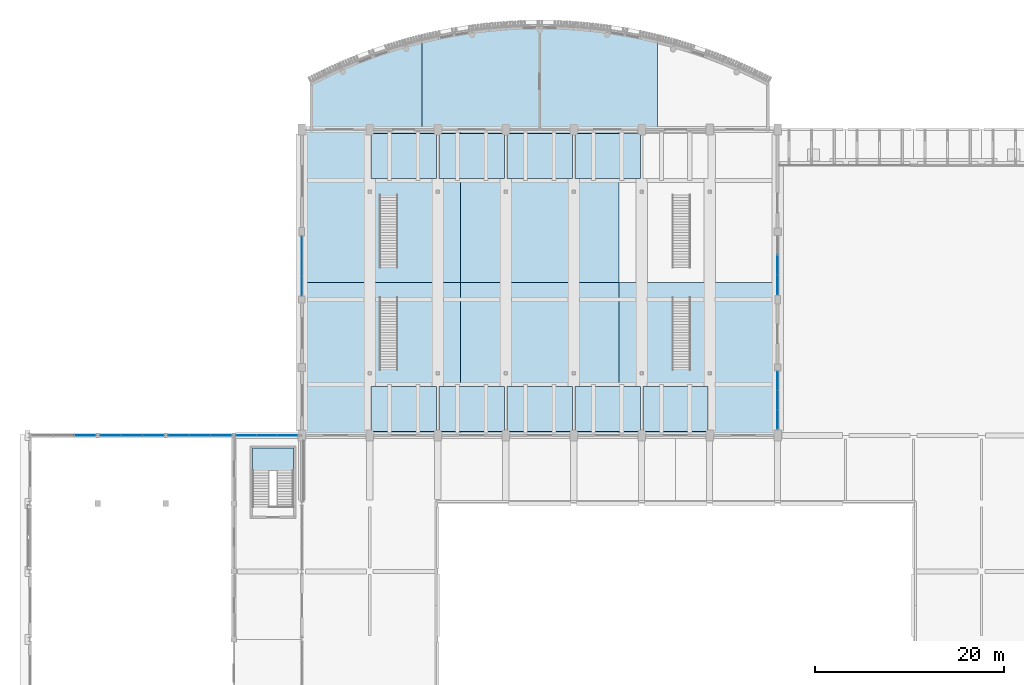
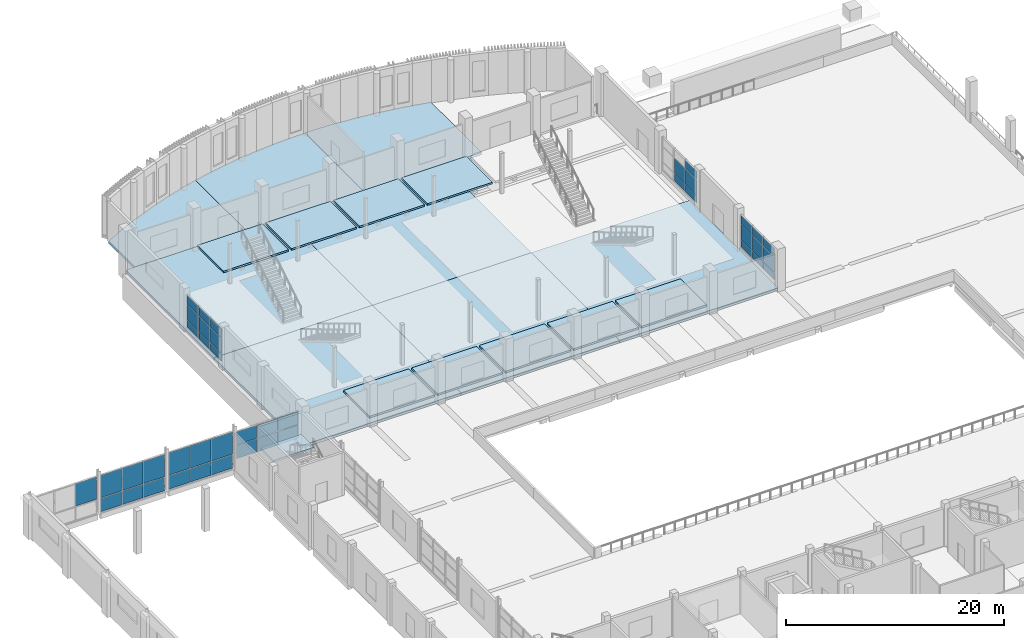
# One storey, part 48 of 82: 42 plates, 18 slabs, 8 elements without a shape of their own.
"""IFC4 building model written with IfcOpenShell, lengths in metres."""

from ifc_helpers import new_model, si_unit, direction, frame, origin, origin_2d, place, context, subcontext, project, spatial, polyline, rectangle, outline, extrude, material, layer, layer_set, type_object, element, aggregate, save


model = new_model("IFC4")

# Units and contexts
model_context = context("Model", 3, precision=1e-05, world=origin(), true_north=direction((0.0, 1.0)))
body_context = subcontext(model_context, "Body", "Model", "MODEL_VIEW")
ifc_project = project(units=[si_unit("LENGTHUNIT", "METRE"), si_unit("AREAUNIT", "SQUARE_METRE"), si_unit("VOLUMEUNIT", "CUBIC_METRE"), si_unit("PLANEANGLEUNIT", "RADIAN"), si_unit("MASSUNIT", "GRAM", prefix="KILO")], contexts=[model_context])

# Site, building, storey
site_placement = place(None, origin())
site = spatial("IfcSite", under=ifc_project, at=site_placement, CompositionType="ELEMENT")
building_placement = place(site_placement, origin())
building = spatial("IfcBuilding", under=site, at=building_placement, Name="Sardonyx Promenade Sports Hall", CompositionType="ELEMENT")
storey_placement = place(building_placement, frame((0.0, 0.0, 11.199951171875)))
storey = spatial("IfcBuildingStorey", under=building, at=storey_placement, Name="L02", CompositionType="ELEMENT", Elevation=11.199951171875)

# Curtain wall, plates
ifc_material_1 = material(Name="Aluminium 6063-T6", Category="aluminium")
curtain_wall_type_1 = type_object("IfcCurtainWallType", Name="CW_South_L02_640", PredefinedType="USERDEFINED", material=ifc_material_1)
curtain_wall_1_placement = place(storey_placement, origin())
curtain_wall_1 = element("IfcCurtainWall", 1, at=curtain_wall_1_placement, inside=storey, type_object=curtain_wall_type_1, Name="Curtain wall CW01 cw:L02:146", ObjectType="CURTAIN WALL", PredefinedType="USERDEFINED")
ifc_material_2 = material(Name="Double-glazed solar low-E IGU 28 mm", Category="glass")
ifc_layer_1 = layer(ifc_material_2, 0.028076171875)
ifc_layer_set_1 = layer_set([ifc_layer_1], Name="CW_Pan_Glz_28")
plate_type_1 = type_object("IfcPlateType", Name="CW_Pan_Glz_28", PredefinedType="CURTAIN_PANEL", material=ifc_layer_set_1)
plate_1_placement = place(storey_placement, frame((28.800048828125, 87.8515625, 0.46484375), z_axis=(0.0, 0.0, 1.0), x_axis=(0.0, 1.0, 0.0)))
plate_1 = element("IfcPlate", 2, at=plate_1_placement, type_object=plate_type_1, Name="Curtain panel CP01 cw:L02:146 #1", PredefinedType="CURTAIN_PANEL", context=body_context, shape_type="SweptSolid", body=[
    extrude(rectangle(XDim=2.033447265625, YDim=0.028076171875, at=origin_2d()), origin(), (0.0, 0.0, 1.0), 0.802490234375),
])
plate_2_placement = place(storey_placement, frame((28.800048828125, 87.8515625, 1.33251953125), z_axis=(0.0, 0.0, 1.0), x_axis=(0.0, 1.0, 0.0)))
plate_2 = element("IfcPlate", 3, at=plate_2_placement, type_object=plate_type_1, Name="Curtain panel CP01 cw:L02:146 #2", PredefinedType="CURTAIN_PANEL", context=body_context, shape_type="SweptSolid", body=[
    extrude(rectangle(XDim=2.033447265625, YDim=0.028076171875, at=origin_2d()), origin(), (0.0, 0.0, 1.0), 1.68505859375),
])
plate_3_placement = place(storey_placement, frame((28.800048828125, 87.8515625, 3.08251953125), z_axis=(0.0, 0.0, 1.0), x_axis=(0.0, 1.0, 0.0)))
plate_3 = element("IfcPlate", 4, at=plate_3_placement, type_object=plate_type_1, Name="Curtain panel CP01 cw:L02:146 #3", PredefinedType="CURTAIN_PANEL", context=body_context, shape_type="SweptSolid", body=[
    extrude(rectangle(XDim=2.033447265625, YDim=0.028076171875, at=origin_2d()), origin(), (0.0, 0.0, 1.0), 0.952392578125),
])
plate_4_placement = place(storey_placement, frame((28.800048828125, 89.949951171875, 0.46484375), z_axis=(0.0, 0.0, 1.0), x_axis=(0.0, 1.0, 0.0)))
plate_4 = element("IfcPlate", 5, at=plate_4_placement, type_object=plate_type_1, Name="Curtain panel CP01 cw:L02:146 #4", PredefinedType="CURTAIN_PANEL", context=body_context, shape_type="SweptSolid", body=[
    extrude(rectangle(XDim=2.033447265625, YDim=0.028076171875, at=origin_2d()), origin(), (0.0, 0.0, 1.0), 0.802490234375),
])
plate_5_placement = place(storey_placement, frame((28.800048828125, 89.949951171875, 1.33251953125), z_axis=(0.0, 0.0, 1.0), x_axis=(0.0, 1.0, 0.0)))
plate_5 = element("IfcPlate", 6, at=plate_5_placement, type_object=plate_type_1, Name="Curtain panel CP01 cw:L02:146 #5", PredefinedType="CURTAIN_PANEL", context=body_context, shape_type="SweptSolid", body=[
    extrude(rectangle(XDim=2.033447265625, YDim=0.028076171875, at=origin_2d()), origin(), (0.0, 0.0, 1.0), 1.68505859375),
])
plate_6_placement = place(storey_placement, frame((28.800048828125, 89.949951171875, 3.08251953125), z_axis=(0.0, 0.0, 1.0), x_axis=(0.0, 1.0, 0.0)))
plate_6 = element("IfcPlate", 7, at=plate_6_placement, type_object=plate_type_1, Name="Curtain panel CP01 cw:L02:146 #6", PredefinedType="CURTAIN_PANEL", context=body_context, shape_type="SweptSolid", body=[
    extrude(rectangle(XDim=2.033447265625, YDim=0.028076171875, at=origin_2d()), origin(), (0.0, 0.0, 1.0), 0.952392578125),
])
plate_7_placement = place(storey_placement, frame((28.800048828125, 92.04833984375, 0.46484375), z_axis=(0.0, 0.0, 1.0), x_axis=(0.0, 1.0, 0.0)))
plate_7 = element("IfcPlate", 8, at=plate_7_placement, type_object=plate_type_1, Name="Curtain panel CP01 cw:L02:146 #7", PredefinedType="CURTAIN_PANEL", context=body_context, shape_type="SweptSolid", body=[
    extrude(rectangle(XDim=2.033447265625, YDim=0.028076171875, at=origin_2d()), origin(), (0.0, 0.0, 1.0), 0.802490234375),
])
plate_8_placement = place(storey_placement, frame((28.800048828125, 92.04833984375, 1.33251953125), z_axis=(0.0, 0.0, 1.0), x_axis=(0.0, 1.0, 0.0)))
plate_8 = element("IfcPlate", 9, at=plate_8_placement, type_object=plate_type_1, Name="Curtain panel CP01 cw:L02:146 #8", PredefinedType="CURTAIN_PANEL", context=body_context, shape_type="SweptSolid", body=[
    extrude(rectangle(XDim=2.033447265625, YDim=0.028076171875, at=origin_2d()), origin(), (0.0, 0.0, 1.0), 1.68505859375),
])
plate_9_placement = place(storey_placement, frame((28.800048828125, 92.04833984375, 3.08251953125), z_axis=(0.0, 0.0, 1.0), x_axis=(0.0, 1.0, 0.0)))
plate_9 = element("IfcPlate", 10, at=plate_9_placement, type_object=plate_type_1, Name="Curtain panel CP01 cw:L02:146 #9", PredefinedType="CURTAIN_PANEL", context=body_context, shape_type="SweptSolid", body=[
    extrude(rectangle(XDim=2.033447265625, YDim=0.028076171875, at=origin_2d()), origin(), (0.0, 0.0, 1.0), 0.952392578125),
])
aggregate(curtain_wall_1, [plate_1, plate_2, plate_3, plate_4, plate_5, plate_6, plate_7, plate_8, plate_9])

curtain_wall_2_placement = place(storey_placement, origin())
curtain_wall_2 = element("IfcCurtainWall", 11, at=curtain_wall_2_placement, inside=storey, type_object=curtain_wall_type_1, Name="Curtain wall CW01 cw:L02:148", ObjectType="CURTAIN WALL", PredefinedType="USERDEFINED")
plate_10_placement = place(storey_placement, frame((79.199951171875, 90.02490234375, 0.46484375), z_axis=(0.0, 0.0, 1.0), x_axis=(0.0, -1.0, 0.0)))
plate_10 = element("IfcPlate", 12, at=plate_10_placement, type_object=plate_type_1, Name="Curtain panel CP01 cw:L02:148 #4", PredefinedType="CURTAIN_PANEL", context=body_context, shape_type="SweptSolid", body=[
    extrude(rectangle(XDim=2.0166015625, YDim=0.028076171875, at=origin_2d()), origin(), (0.0, 0.0, 1.0), 0.802490234375),
])
plate_11_placement = place(storey_placement, frame((79.199951171875, 90.02490234375, 1.33251953125), z_axis=(0.0, 0.0, 1.0), x_axis=(0.0, -1.0, 0.0)))
plate_11 = element("IfcPlate", 13, at=plate_11_placement, type_object=plate_type_1, Name="Curtain panel CP01 cw:L02:148 #5", PredefinedType="CURTAIN_PANEL", context=body_context, shape_type="SweptSolid", body=[
    extrude(rectangle(XDim=2.0166015625, YDim=0.028076171875, at=origin_2d()), origin(), (0.0, 0.0, 1.0), 1.68505859375),
])
plate_12_placement = place(storey_placement, frame((79.199951171875, 87.943359375, 0.46484375), z_axis=(0.0, 0.0, 1.0), x_axis=(0.0, -1.0, 0.0)))
plate_12 = element("IfcPlate", 14, at=plate_12_placement, type_object=plate_type_1, Name="Curtain panel CP01 cw:L02:148 #7", PredefinedType="CURTAIN_PANEL", context=body_context, shape_type="SweptSolid", body=[
    extrude(rectangle(XDim=2.0166015625, YDim=0.028076171875, at=origin_2d()), origin(), (0.0, 0.0, 1.0), 0.802490234375),
])
plate_13_placement = place(storey_placement, frame((79.199951171875, 87.943359375, 1.33251953125), z_axis=(0.0, 0.0, 1.0), x_axis=(0.0, -1.0, 0.0)))
plate_13 = element("IfcPlate", 15, at=plate_13_placement, type_object=plate_type_1, Name="Curtain panel CP01 cw:L02:148 #8", PredefinedType="CURTAIN_PANEL", context=body_context, shape_type="SweptSolid", body=[
    extrude(rectangle(XDim=2.0166015625, YDim=0.028076171875, at=origin_2d()), origin(), (0.0, 0.0, 1.0), 1.68505859375),
])
plate_14_placement = place(storey_placement, frame((79.199951171875, 87.943359375, 3.08251953125), z_axis=(0.0, 0.0, 1.0), x_axis=(0.0, -1.0, 0.0)))
plate_14 = element("IfcPlate", 16, at=plate_14_placement, type_object=plate_type_1, Name="Curtain panel CP01 cw:L02:148 #9", PredefinedType="CURTAIN_PANEL", context=body_context, shape_type="SweptSolid", body=[
    extrude(rectangle(XDim=2.0166015625, YDim=0.028076171875, at=origin_2d()), origin(), (0.0, 0.0, 1.0), 0.952392578125),
])
aggregate(curtain_wall_2, [plate_10, plate_11, plate_12, plate_13, plate_14])

curtain_wall_3_placement = place(storey_placement, origin())
curtain_wall_3 = element("IfcCurtainWall", 17, at=curtain_wall_3_placement, inside=storey, type_object=curtain_wall_type_1, Name="Curtain wall CW01 cw:L02:149", ObjectType="CURTAIN WALL", PredefinedType="USERDEFINED")
plate_15_placement = place(storey_placement, frame((79.199951171875, 77.7734375, 0.46484375), z_axis=(0.0, 0.0, 1.0), x_axis=(0.0, -1.0, 0.0)))
plate_15 = element("IfcPlate", 18, at=plate_15_placement, type_object=plate_type_1, Name="Curtain panel CP01 cw:L02:149 #1", PredefinedType="CURTAIN_PANEL", context=body_context, shape_type="SweptSolid", body=[
    extrude(rectangle(XDim=1.9833984375, YDim=0.028076171875, at=origin_2d()), origin(), (0.0, 0.0, 1.0), 0.802490234375),
])
plate_16_placement = place(storey_placement, frame((79.199951171875, 77.7734375, 1.33251953125), z_axis=(0.0, 0.0, 1.0), x_axis=(0.0, -1.0, 0.0)))
plate_16 = element("IfcPlate", 19, at=plate_16_placement, type_object=plate_type_1, Name="Curtain panel CP01 cw:L02:149 #2", PredefinedType="CURTAIN_PANEL", context=body_context, shape_type="SweptSolid", body=[
    extrude(rectangle(XDim=1.9833984375, YDim=0.028076171875, at=origin_2d()), origin(), (0.0, 0.0, 1.0), 1.68505859375),
])
plate_17_placement = place(storey_placement, frame((79.199951171875, 77.7734375, 3.08251953125), z_axis=(0.0, 0.0, 1.0), x_axis=(0.0, -1.0, 0.0)))
plate_17 = element("IfcPlate", 20, at=plate_17_placement, type_object=plate_type_1, Name="Curtain panel CP01 cw:L02:149 #3", PredefinedType="CURTAIN_PANEL", context=body_context, shape_type="SweptSolid", body=[
    extrude(rectangle(XDim=1.9833984375, YDim=0.028076171875, at=origin_2d()), origin(), (0.0, 0.0, 1.0), 0.952392578125),
])
plate_18_placement = place(storey_placement, frame((79.199951171875, 75.72509765625, 0.46484375), z_axis=(0.0, 0.0, 1.0), x_axis=(0.0, -1.0, 0.0)))
plate_18 = element("IfcPlate", 21, at=plate_18_placement, type_object=plate_type_1, Name="Curtain panel CP01 cw:L02:149 #4", PredefinedType="CURTAIN_PANEL", context=body_context, shape_type="SweptSolid", body=[
    extrude(rectangle(XDim=1.9833984375, YDim=0.028076171875, at=origin_2d()), origin(), (0.0, 0.0, 1.0), 0.802490234375),
])
plate_19_placement = place(storey_placement, frame((79.199951171875, 75.72509765625, 1.33251953125), z_axis=(0.0, 0.0, 1.0), x_axis=(0.0, -1.0, 0.0)))
plate_19 = element("IfcPlate", 22, at=plate_19_placement, type_object=plate_type_1, Name="Curtain panel CP01 cw:L02:149 #5", PredefinedType="CURTAIN_PANEL", context=body_context, shape_type="SweptSolid", body=[
    extrude(rectangle(XDim=1.9833984375, YDim=0.028076171875, at=origin_2d()), origin(), (0.0, 0.0, 1.0), 1.68505859375),
])
plate_20_placement = place(storey_placement, frame((79.199951171875, 75.72509765625, 3.08251953125), z_axis=(0.0, 0.0, 1.0), x_axis=(0.0, -1.0, 0.0)))
plate_20 = element("IfcPlate", 23, at=plate_20_placement, type_object=plate_type_1, Name="Curtain panel CP01 cw:L02:149 #6", PredefinedType="CURTAIN_PANEL", context=body_context, shape_type="SweptSolid", body=[
    extrude(rectangle(XDim=1.9833984375, YDim=0.028076171875, at=origin_2d()), origin(), (0.0, 0.0, 1.0), 0.952392578125),
])
plate_21_placement = place(storey_placement, frame((79.199951171875, 73.6767578125, 0.46484375), z_axis=(0.0, 0.0, 1.0), x_axis=(0.0, -1.0, 0.0)))
plate_21 = element("IfcPlate", 24, at=plate_21_placement, type_object=plate_type_1, Name="Curtain panel CP01 cw:L02:149 #7", PredefinedType="CURTAIN_PANEL", context=body_context, shape_type="SweptSolid", body=[
    extrude(rectangle(XDim=1.9833984375, YDim=0.028076171875, at=origin_2d()), origin(), (0.0, 0.0, 1.0), 0.802490234375),
])
plate_22_placement = place(storey_placement, frame((79.199951171875, 73.6767578125, 1.33251953125), z_axis=(0.0, 0.0, 1.0), x_axis=(0.0, -1.0, 0.0)))
plate_22 = element("IfcPlate", 25, at=plate_22_placement, type_object=plate_type_1, Name="Curtain panel CP01 cw:L02:149 #8", PredefinedType="CURTAIN_PANEL", context=body_context, shape_type="SweptSolid", body=[
    extrude(rectangle(XDim=1.9833984375, YDim=0.028076171875, at=origin_2d()), origin(), (0.0, 0.0, 1.0), 1.68505859375),
])
plate_23_placement = place(storey_placement, frame((79.199951171875, 73.6767578125, 3.08251953125), z_axis=(0.0, 0.0, 1.0), x_axis=(0.0, -1.0, 0.0)))
plate_23 = element("IfcPlate", 26, at=plate_23_placement, type_object=plate_type_1, Name="Curtain panel CP01 cw:L02:149 #9", PredefinedType="CURTAIN_PANEL", context=body_context, shape_type="SweptSolid", body=[
    extrude(rectangle(XDim=1.9833984375, YDim=0.028076171875, at=origin_2d()), origin(), (0.0, 0.0, 1.0), 0.952392578125),
])
aggregate(curtain_wall_3, [plate_15, plate_16, plate_17, plate_18, plate_19, plate_20, plate_21, plate_22, plate_23])

# Curtain wall, plate
ifc_material_3 = material(Name="Aluminium 6063-T6", Category="aluminium")
curtain_wall_type_2 = type_object("IfcCurtainWallType", Name="CW_Climb_Clerestory", PredefinedType="USERDEFINED", material=ifc_material_3)
curtain_wall_4_placement = place(storey_placement, origin())
curtain_wall_4 = element("IfcCurtainWall", 27, at=curtain_wall_4_placement, inside=storey, type_object=curtain_wall_type_2, Name="Curtain wall CW12 cw:L02:076", ObjectType="CURTAIN WALL", PredefinedType="USERDEFINED")
ifc_material_4 = material(Name="Laminated safety sports IGU 36 mm", Category="glass")
ifc_layer_2 = layer(ifc_material_4, 0.035888671875)
ifc_layer_set_2 = layer_set([ifc_layer_2], Name="CW_Pan_Glz_36")
plate_type_2 = type_object("IfcPlateType", Name="CW_Pan_Glz_36", PredefinedType="CURTAIN_PANEL", material=ifc_layer_set_2)
plate_24_placement = place(storey_placement, frame((5.864990234375, 72.0, 1.632568359375), z_axis=(0.0, 0.0, 1.0), x_axis=(1.0, 0.0, 0.0)))
plate_24 = element("IfcPlate", 28, at=plate_24_placement, type_object=plate_type_2, Name="Curtain panel CP03 cw:L02:076 #6", PredefinedType="CURTAIN_PANEL", context=body_context, shape_type="SweptSolid", body=[
    extrude(rectangle(XDim=2.199951171875, YDim=0.035888671875, at=origin_2d()), origin(), (0.0, 0.0, 1.0), 2.50244140625),
])
aggregate(curtain_wall_4, [plate_24])

# Curtain wall, plates
curtain_wall_5_placement = place(storey_placement, origin())
curtain_wall_5 = element("IfcCurtainWall", 29, at=curtain_wall_5_placement, inside=storey, type_object=curtain_wall_type_2, Name="Curtain wall CW12 cw:L02:077", ObjectType="CURTAIN WALL", PredefinedType="USERDEFINED")
plate_25_placement = place(storey_placement, frame((8.534912109375, 72.0, 0.065185546875), z_axis=(0.0, 0.0, 1.0), x_axis=(1.0, 0.0, 0.0)))
plate_25 = element("IfcPlate", 30, at=plate_25_placement, type_object=plate_type_2, Name="Curtain panel CP03 cw:L02:077 #1", PredefinedType="CURTAIN_PANEL", context=body_context, shape_type="SweptSolid", body=[
    extrude(rectangle(XDim=2.199951171875, YDim=0.035888671875, at=origin_2d()), origin(), (0.0, 0.0, 1.0), 1.50244140625),
])
plate_26_placement = place(storey_placement, frame((8.534912109375, 72.0, 1.632568359375), z_axis=(0.0, 0.0, 1.0), x_axis=(1.0, 0.0, 0.0)))
plate_26 = element("IfcPlate", 31, at=plate_26_placement, type_object=plate_type_2, Name="Curtain panel CP03 cw:L02:077 #2", PredefinedType="CURTAIN_PANEL", context=body_context, shape_type="SweptSolid", body=[
    extrude(rectangle(XDim=2.199951171875, YDim=0.035888671875, at=origin_2d()), origin(), (0.0, 0.0, 1.0), 2.50244140625),
])
plate_27_placement = place(storey_placement, frame((10.800048828125, 72.0, 0.065185546875), z_axis=(0.0, 0.0, 1.0), x_axis=(1.0, 0.0, 0.0)))
plate_27 = element("IfcPlate", 32, at=plate_27_placement, type_object=plate_type_2, Name="Curtain panel CP03 cw:L02:077 #3", PredefinedType="CURTAIN_PANEL", context=body_context, shape_type="SweptSolid", body=[
    extrude(rectangle(XDim=2.199951171875, YDim=0.035888671875, at=origin_2d()), origin(), (0.0, 0.0, 1.0), 1.50244140625),
])
plate_28_placement = place(storey_placement, frame((10.800048828125, 72.0, 1.632568359375), z_axis=(0.0, 0.0, 1.0), x_axis=(1.0, 0.0, 0.0)))
plate_28 = element("IfcPlate", 33, at=plate_28_placement, type_object=plate_type_2, Name="Curtain panel CP03 cw:L02:077 #4", PredefinedType="CURTAIN_PANEL", context=body_context, shape_type="SweptSolid", body=[
    extrude(rectangle(XDim=2.199951171875, YDim=0.035888671875, at=origin_2d()), origin(), (0.0, 0.0, 1.0), 2.50244140625),
])
plate_29_placement = place(storey_placement, frame((13.06494140625, 72.0, 0.065185546875), z_axis=(0.0, 0.0, 1.0), x_axis=(1.0, 0.0, 0.0)))
plate_29 = element("IfcPlate", 34, at=plate_29_placement, type_object=plate_type_2, Name="Curtain panel CP03 cw:L02:077 #5", PredefinedType="CURTAIN_PANEL", context=body_context, shape_type="SweptSolid", body=[
    extrude(rectangle(XDim=2.199951171875, YDim=0.035888671875, at=origin_2d()), origin(), (0.0, 0.0, 1.0), 1.50244140625),
])
plate_30_placement = place(storey_placement, frame((13.06494140625, 72.0, 1.632568359375), z_axis=(0.0, 0.0, 1.0), x_axis=(1.0, 0.0, 0.0)))
plate_30 = element("IfcPlate", 35, at=plate_30_placement, type_object=plate_type_2, Name="Curtain panel CP03 cw:L02:077 #6", PredefinedType="CURTAIN_PANEL", context=body_context, shape_type="SweptSolid", body=[
    extrude(rectangle(XDim=2.199951171875, YDim=0.035888671875, at=origin_2d()), origin(), (0.0, 0.0, 1.0), 2.50244140625),
])
aggregate(curtain_wall_5, [plate_25, plate_26, plate_27, plate_28, plate_29, plate_30])

curtain_wall_6_placement = place(storey_placement, origin())
curtain_wall_6 = element("IfcCurtainWall", 36, at=curtain_wall_6_placement, inside=storey, type_object=curtain_wall_type_2, Name="Curtain wall CW12 cw:L02:078", ObjectType="CURTAIN WALL", PredefinedType="USERDEFINED")
plate_31_placement = place(storey_placement, frame((15.735107421875, 72.0, 0.065185546875), z_axis=(0.0, 0.0, 1.0), x_axis=(1.0, 0.0, 0.0)))
plate_31 = element("IfcPlate", 37, at=plate_31_placement, type_object=plate_type_2, Name="Curtain panel CP03 cw:L02:078 #1", PredefinedType="CURTAIN_PANEL", context=body_context, shape_type="SweptSolid", body=[
    extrude(rectangle(XDim=2.199951171875, YDim=0.035888671875, at=origin_2d()), origin(), (0.0, 0.0, 1.0), 1.50244140625),
])
plate_32_placement = place(storey_placement, frame((15.735107421875, 72.0, 1.632568359375), z_axis=(0.0, 0.0, 1.0), x_axis=(1.0, 0.0, 0.0)))
plate_32 = element("IfcPlate", 38, at=plate_32_placement, type_object=plate_type_2, Name="Curtain panel CP03 cw:L02:078 #2", PredefinedType="CURTAIN_PANEL", context=body_context, shape_type="SweptSolid", body=[
    extrude(rectangle(XDim=2.199951171875, YDim=0.035888671875, at=origin_2d()), origin(), (0.0, 0.0, 1.0), 2.50244140625),
])
plate_33_placement = place(storey_placement, frame((18.0, 72.0, 0.065185546875), z_axis=(0.0, 0.0, 1.0), x_axis=(1.0, 0.0, 0.0)))
plate_33 = element("IfcPlate", 39, at=plate_33_placement, type_object=plate_type_2, Name="Curtain panel CP03 cw:L02:078 #3", PredefinedType="CURTAIN_PANEL", context=body_context, shape_type="SweptSolid", body=[
    extrude(rectangle(XDim=2.199951171875, YDim=0.035888671875, at=origin_2d()), origin(), (0.0, 0.0, 1.0), 1.50244140625),
])
plate_34_placement = place(storey_placement, frame((18.0, 72.0, 1.632568359375), z_axis=(0.0, 0.0, 1.0), x_axis=(1.0, 0.0, 0.0)))
plate_34 = element("IfcPlate", 40, at=plate_34_placement, type_object=plate_type_2, Name="Curtain panel CP03 cw:L02:078 #4", PredefinedType="CURTAIN_PANEL", context=body_context, shape_type="SweptSolid", body=[
    extrude(rectangle(XDim=2.199951171875, YDim=0.035888671875, at=origin_2d()), origin(), (0.0, 0.0, 1.0), 2.50244140625),
])
plate_35_placement = place(storey_placement, frame((20.264892578125, 72.0, 0.065185546875), z_axis=(0.0, 0.0, 1.0), x_axis=(1.0, 0.0, 0.0)))
plate_35 = element("IfcPlate", 41, at=plate_35_placement, type_object=plate_type_2, Name="Curtain panel CP03 cw:L02:078 #5", PredefinedType="CURTAIN_PANEL", context=body_context, shape_type="SweptSolid", body=[
    extrude(rectangle(XDim=2.199951171875, YDim=0.035888671875, at=origin_2d()), origin(), (0.0, 0.0, 1.0), 1.50244140625),
])
plate_36_placement = place(storey_placement, frame((20.264892578125, 72.0, 1.632568359375), z_axis=(0.0, 0.0, 1.0), x_axis=(1.0, 0.0, 0.0)))
plate_36 = element("IfcPlate", 42, at=plate_36_placement, type_object=plate_type_2, Name="Curtain panel CP03 cw:L02:078 #6", PredefinedType="CURTAIN_PANEL", context=body_context, shape_type="SweptSolid", body=[
    extrude(rectangle(XDim=2.199951171875, YDim=0.035888671875, at=origin_2d()), origin(), (0.0, 0.0, 1.0), 2.50244140625),
])
aggregate(curtain_wall_6, [plate_31, plate_32, plate_33, plate_34, plate_35, plate_36])

curtain_wall_7_placement = place(storey_placement, origin())
curtain_wall_7 = element("IfcCurtainWall", 43, at=curtain_wall_7_placement, inside=storey, type_object=curtain_wall_type_2, Name="Curtain wall CW12 cw:L02:079", ObjectType="CURTAIN WALL", PredefinedType="USERDEFINED")
plate_37_placement = place(storey_placement, frame((22.893310546875, 72.0, 0.965087890625), z_axis=(0.0, 0.0, 1.0), x_axis=(1.0, 0.0, 0.0)))
plate_37 = element("IfcPlate", 44, at=plate_37_placement, type_object=plate_type_2, Name="Curtain panel CP03 cw:L02:079 #1", PredefinedType="CURTAIN_PANEL", context=body_context, shape_type="SweptSolid", body=[
    extrude(rectangle(XDim=2.11669921875, YDim=0.035888671875, at=origin_2d()), origin(), (0.0, 0.0, 1.0), 1.50244140625),
])
plate_38_placement = place(storey_placement, frame((22.893310546875, 72.0, 2.532470703125), z_axis=(0.0, 0.0, 1.0), x_axis=(1.0, 0.0, 0.0)))
plate_38 = element("IfcPlate", 45, at=plate_38_placement, type_object=plate_type_2, Name="Curtain panel CP03 cw:L02:079 #2", PredefinedType="CURTAIN_PANEL", context=body_context, shape_type="SweptSolid", body=[
    extrude(rectangle(XDim=2.11669921875, YDim=0.035888671875, at=origin_2d()), origin(), (0.0, 0.0, 1.0), 1.4375),
])
plate_39_placement = place(storey_placement, frame((25.074951171875, 72.0, 0.965087890625), z_axis=(0.0, 0.0, 1.0), x_axis=(1.0, 0.0, 0.0)))
plate_39 = element("IfcPlate", 46, at=plate_39_placement, type_object=plate_type_2, Name="Curtain panel CP03 cw:L02:079 #3", PredefinedType="CURTAIN_PANEL", context=body_context, shape_type="SweptSolid", body=[
    extrude(rectangle(XDim=2.11669921875, YDim=0.035888671875, at=origin_2d()), origin(), (0.0, 0.0, 1.0), 1.50244140625),
])
plate_40_placement = place(storey_placement, frame((25.074951171875, 72.0, 2.532470703125), z_axis=(0.0, 0.0, 1.0), x_axis=(1.0, 0.0, 0.0)))
plate_40 = element("IfcPlate", 47, at=plate_40_placement, type_object=plate_type_2, Name="Curtain panel CP03 cw:L02:079 #4", PredefinedType="CURTAIN_PANEL", context=body_context, shape_type="SweptSolid", body=[
    extrude(rectangle(XDim=2.11669921875, YDim=0.035888671875, at=origin_2d()), origin(), (0.0, 0.0, 1.0), 1.4375),
])
plate_41_placement = place(storey_placement, frame((27.256591796875, 72.0, 0.965087890625), z_axis=(0.0, 0.0, 1.0), x_axis=(1.0, 0.0, 0.0)))
plate_41 = element("IfcPlate", 48, at=plate_41_placement, type_object=plate_type_2, Name="Curtain panel CP03 cw:L02:079 #5", PredefinedType="CURTAIN_PANEL", context=body_context, shape_type="SweptSolid", body=[
    extrude(rectangle(XDim=2.11669921875, YDim=0.035888671875, at=origin_2d()), origin(), (0.0, 0.0, 1.0), 1.50244140625),
])
plate_42_placement = place(storey_placement, frame((27.256591796875, 72.0, 2.532470703125), z_axis=(0.0, 0.0, 1.0), x_axis=(1.0, 0.0, 0.0)))
plate_42 = element("IfcPlate", 49, at=plate_42_placement, type_object=plate_type_2, Name="Curtain panel CP03 cw:L02:079 #6", PredefinedType="CURTAIN_PANEL", context=body_context, shape_type="SweptSolid", body=[
    extrude(rectangle(XDim=2.11669921875, YDim=0.035888671875, at=origin_2d()), origin(), (0.0, 0.0, 1.0), 1.4375),
])
aggregate(curtain_wall_7, [plate_37, plate_38, plate_39, plate_40, plate_41, plate_42])

# Stair, slab
ifc_material_5 = material(Name="Concrete C40/50", Category="concrete")
stair_type = type_object("IfcStairType", Name="Stair_Esc_Mid_480", PredefinedType="HALF_TURN_STAIR", material=ifc_material_5)
stair_placement = place(storey_placement, origin())
stair = element("IfcStair", 50, at=stair_placement, inside=storey, type_object=stair_type, Name="Protected escape stair ST7 (L02 to L03)", PredefinedType="HALF_TURN_STAIR")
ifc_material_6 = material(Name="Concrete C40/50", Category="concrete")
ifc_layer_3 = layer(ifc_material_6, 0.239990234375)
ifc_layer_set_3 = layer_set([ifc_layer_3], Name="Land_Stair_240")
slab_type_1 = type_object("IfcSlabType", Name="Land_Stair_240", PredefinedType="LANDING", material=ifc_layer_set_3)
slab_1_placement = place(storey_placement, frame((0.0, 0.0, 2.16015625)))
slab_1 = element("IfcSlab", 51, at=slab_1_placement, type_object=slab_type_1, Name="Stair half-landing ST7 L02", PredefinedType="LANDING", context=body_context, shape_type="SweptSolid", body=[
    extrude(outline(polyline([(27.925048828125, 68.260009765625), (27.925048828125, 70.64990234375), (23.574951171875, 70.64990234375), (23.574951171875, 68.260009765625), (27.925048828125, 68.260009765625)])), origin(), (0.0, 0.0, 1.0), 0.239990234375),
])
aggregate(stair, [slab_1])

# Slabs
ifc_material_7 = material(Name="Concrete C40/50", Category="concrete")
ifc_layer_4 = layer(ifc_material_7, 0.2900390625)
ifc_layer_set_4 = layer_set([ifc_layer_4], Name="Slab_Ext_Loggia_220")
slab_type_2 = type_object("IfcSlabType", Name="Slab_Ext_Loggia_220", PredefinedType="FLOOR", material=ifc_layer_set_4)
slab_2_placement = place(storey_placement, frame((0.0, 0.0, -0.2900390625)))
element("IfcSlab", 52, at=slab_2_placement, inside=storey, type_object=slab_type_2, Name="Bowed promenade loggia slab L02 #1", PredefinedType="FLOOR", context=body_context, shape_type="SweptSolid", body=[
    extrude(outline(polyline([(29.773681640625, 104.39990234375), (41.522216796875, 104.39990234375), (41.522216796875, 113.6806640625), (39.78271484375, 113.21875), (38.06005859375, 112.696533203125), (36.3564453125, 112.115234375), (34.674072265625, 111.475341796875), (33.014892578125, 110.777587890625), (31.380859375, 110.022705078125), (29.773681640625, 109.2119140625), (29.773681640625, 104.39990234375)])), origin(), (0.0, 0.0, 1.0), 0.2900390625),
])
slab_3_placement = place(storey_placement, frame((0.0, 0.0, -0.2900390625)))
element("IfcSlab", 53, at=slab_3_placement, inside=storey, type_object=slab_type_2, Name="Bowed promenade loggia slab L02 #2", PredefinedType="FLOOR", context=body_context, shape_type="SweptSolid", body=[
    extrude(outline(polyline([(41.522216796875, 104.39990234375), (54.0, 104.39990234375), (54.0, 115.199951171875), (52.2001953125, 115.1689453125), (50.402587890625, 115.075439453125), (48.609375, 114.919921875), (46.822509765625, 114.702392578125), (45.04443359375, 114.423095703125), (43.27685546875, 114.082275390625), (41.522216796875, 113.6806640625), (41.522216796875, 104.39990234375)])), origin(), (0.0, 0.0, 1.0), 0.2900390625),
])
slab_4_placement = place(storey_placement, frame((0.0, 0.0, -0.2900390625)))
element("IfcSlab", 54, at=slab_4_placement, inside=storey, type_object=slab_type_2, Name="Bowed promenade loggia slab L02 #3", PredefinedType="FLOOR", context=body_context, shape_type="SweptSolid", body=[
    extrude(outline(polyline([(54.0, 104.39990234375), (66.477783203125, 104.39990234375), (66.477783203125, 113.6806640625), (64.72314453125, 114.082275390625), (62.95556640625, 114.423095703125), (61.177490234375, 114.702392578125), (59.390625, 114.919921875), (57.597412109375, 115.075439453125), (55.7998046875, 115.1689453125), (54.0, 115.199951171875), (54.0, 104.39990234375)])), origin(), (0.0, 0.0, 1.0), 0.2900390625),
])
ifc_material_8 = material(Name="Post-tensioned concrete C50/60", Category="concrete")
ifc_layer_5 = layer(ifc_material_8, 0.320068359375)
ifc_layer_set_5 = layer_set([ifc_layer_5], Name="Slab_Floor_Arena_320")
slab_type_3 = type_object("IfcSlabType", Name="Slab_Floor_Arena_320", PredefinedType="FLOOR", material=ifc_layer_set_5)
slab_5_placement = place(storey_placement, frame((0.0, 0.0, -0.320068359375)))
element("IfcSlab", 55, at=slab_5_placement, inside=storey, type_object=slab_type_3, Name="Slab FS01 L02 #154", PredefinedType="FLOOR", context=body_context, shape_type="SweptSolid", body=[
    extrude(outline(polyline([(28.800048828125, 72.0), (45.60009765625, 72.0), (45.60009765625, 88.199951171875), (28.800048828125, 88.199951171875), (28.800048828125, 72.0)])), origin(), (0.0, 0.0, 1.0), 0.320068359375),
])
slab_6_placement = place(storey_placement, frame((0.0, 0.0, -0.320068359375)))
element("IfcSlab", 56, at=slab_6_placement, inside=storey, type_object=slab_type_3, Name="Slab FS01 L02 #155", PredefinedType="FLOOR", context=body_context, shape_type="SweptSolid", body=[
    extrude(outline(polyline([(28.800048828125, 88.199951171875), (45.60009765625, 88.199951171875), (45.60009765625, 104.39990234375), (28.800048828125, 104.39990234375), (28.800048828125, 88.199951171875)])), origin(), (0.0, 0.0, 1.0), 0.320068359375),
])
slab_7_placement = place(storey_placement, frame((0.0, 0.0, -0.320068359375)))
element("IfcSlab", 57, at=slab_7_placement, inside=storey, type_object=slab_type_3, Name="Slab FS01 L02 #156", PredefinedType="FLOOR", context=body_context, shape_type="SweptSolid", body=[
    extrude(outline(polyline([(45.60009765625, 72.0), (62.39990234375, 72.0), (62.39990234375, 88.199951171875), (45.60009765625, 88.199951171875), (45.60009765625, 72.0)])), origin(), (0.0, 0.0, 1.0), 0.320068359375),
])
slab_8_placement = place(storey_placement, frame((0.0, 0.0, -0.320068359375)))
element("IfcSlab", 58, at=slab_8_placement, inside=storey, type_object=slab_type_3, Name="Slab FS01 L02 #157", PredefinedType="FLOOR", context=body_context, shape_type="SweptSolid", body=[
    extrude(outline(polyline([(45.60009765625, 88.199951171875), (62.39990234375, 88.199951171875), (62.39990234375, 104.39990234375), (45.60009765625, 104.39990234375), (45.60009765625, 88.199951171875)])), origin(), (0.0, 0.0, 1.0), 0.320068359375),
])
slab_9_placement = place(storey_placement, frame((0.0, 0.0, -0.320068359375)))
element("IfcSlab", 59, at=slab_9_placement, inside=storey, type_object=slab_type_3, Name="Slab FS01 L02 #158", PredefinedType="FLOOR", context=body_context, shape_type="SweptSolid", body=[
    extrude(outline(polyline([(62.39990234375, 72.0), (79.199951171875, 72.0), (79.199951171875, 88.199951171875), (62.39990234375, 88.199951171875), (62.39990234375, 72.0)])), origin(), (0.0, 0.0, 1.0), 0.320068359375),
])
ifc_material_9 = material(Name="Precast concrete C40/50", Category="concrete")
ifc_layer_6 = layer(ifc_material_9, 0.18994140625)
ifc_layer_set_6 = layer_set([ifc_layer_6], Name="Slab_Tier_Precast_190")
slab_type_4 = type_object("IfcSlabType", Name="Slab_Tier_Precast_190", PredefinedType="USERDEFINED", material=ifc_layer_set_6)
slab_10_placement = place(storey_placement, frame((0.0, 0.0, 0.25)))
element("IfcSlab", 60, at=slab_10_placement, inside=storey, type_object=slab_type_4, Name="Stand lower tier S bay 1", ObjectType="SEATING TIER", PredefinedType="USERDEFINED", context=body_context, shape_type="SweptSolid", body=[
    extrude(outline(polyline([(36.14990234375, 72.39990234375), (43.050048828125, 72.39990234375), (43.050048828125, 77.199951171875), (36.14990234375, 77.199951171875), (36.14990234375, 72.39990234375)])), origin(), (0.0, 0.0, 1.0), 0.18994140625),
])
slab_11_placement = place(storey_placement, frame((0.0, 0.0, 0.25)))
element("IfcSlab", 61, at=slab_11_placement, inside=storey, type_object=slab_type_4, Name="Stand lower tier N bay 1", ObjectType="SEATING TIER", PredefinedType="USERDEFINED", context=body_context, shape_type="SweptSolid", body=[
    extrude(outline(polyline([(36.14990234375, 99.199951171875), (43.050048828125, 99.199951171875), (43.050048828125, 104.0), (36.14990234375, 104.0), (36.14990234375, 99.199951171875)])), origin(), (0.0, 0.0, 1.0), 0.18994140625),
])
slab_12_placement = place(storey_placement, frame((0.0, 0.0, 0.25)))
element("IfcSlab", 62, at=slab_12_placement, inside=storey, type_object=slab_type_4, Name="Stand lower tier S bay 2", ObjectType="SEATING TIER", PredefinedType="USERDEFINED", context=body_context, shape_type="SweptSolid", body=[
    extrude(outline(polyline([(43.35009765625, 72.39990234375), (50.25, 72.39990234375), (50.25, 77.199951171875), (43.35009765625, 77.199951171875), (43.35009765625, 72.39990234375)])), origin(), (0.0, 0.0, 1.0), 0.18994140625),
])
slab_13_placement = place(storey_placement, frame((0.0, 0.0, 0.25)))
element("IfcSlab", 63, at=slab_13_placement, inside=storey, type_object=slab_type_4, Name="Stand lower tier N bay 2", ObjectType="SEATING TIER", PredefinedType="USERDEFINED", context=body_context, shape_type="SweptSolid", body=[
    extrude(outline(polyline([(43.35009765625, 99.199951171875), (50.25, 99.199951171875), (50.25, 104.0), (43.35009765625, 104.0), (43.35009765625, 99.199951171875)])), origin(), (0.0, 0.0, 1.0), 0.18994140625),
])
slab_14_placement = place(storey_placement, frame((0.0, 0.0, 0.25)))
element("IfcSlab", 64, at=slab_14_placement, inside=storey, type_object=slab_type_4, Name="Stand lower tier S bay 3", ObjectType="SEATING TIER", PredefinedType="USERDEFINED", context=body_context, shape_type="SweptSolid", body=[
    extrude(outline(polyline([(50.550048828125, 72.39990234375), (57.449951171875, 72.39990234375), (57.449951171875, 77.199951171875), (50.550048828125, 77.199951171875), (50.550048828125, 72.39990234375)])), origin(), (0.0, 0.0, 1.0), 0.18994140625),
])
slab_15_placement = place(storey_placement, frame((0.0, 0.0, 0.25)))
element("IfcSlab", 65, at=slab_15_placement, inside=storey, type_object=slab_type_4, Name="Stand lower tier N bay 3", ObjectType="SEATING TIER", PredefinedType="USERDEFINED", context=body_context, shape_type="SweptSolid", body=[
    extrude(outline(polyline([(50.550048828125, 99.199951171875), (57.449951171875, 99.199951171875), (57.449951171875, 104.0), (50.550048828125, 104.0), (50.550048828125, 99.199951171875)])), origin(), (0.0, 0.0, 1.0), 0.18994140625),
])
slab_16_placement = place(storey_placement, frame((0.0, 0.0, 0.25)))
element("IfcSlab", 66, at=slab_16_placement, inside=storey, type_object=slab_type_4, Name="Stand lower tier S bay 4", ObjectType="SEATING TIER", PredefinedType="USERDEFINED", context=body_context, shape_type="SweptSolid", body=[
    extrude(outline(polyline([(57.75, 72.39990234375), (64.64990234375, 72.39990234375), (64.64990234375, 77.199951171875), (57.75, 77.199951171875), (57.75, 72.39990234375)])), origin(), (0.0, 0.0, 1.0), 0.18994140625),
])
slab_17_placement = place(storey_placement, frame((0.0, 0.0, 0.25)))
element("IfcSlab", 67, at=slab_17_placement, inside=storey, type_object=slab_type_4, Name="Stand lower tier N bay 4", ObjectType="SEATING TIER", PredefinedType="USERDEFINED", context=body_context, shape_type="SweptSolid", body=[
    extrude(outline(polyline([(57.75, 99.199951171875), (64.64990234375, 99.199951171875), (64.64990234375, 104.0), (57.75, 104.0), (57.75, 99.199951171875)])), origin(), (0.0, 0.0, 1.0), 0.18994140625),
])
slab_18_placement = place(storey_placement, frame((0.0, 0.0, 0.25)))
element("IfcSlab", 68, at=slab_18_placement, inside=storey, type_object=slab_type_4, Name="Stand lower tier S bay 5", ObjectType="SEATING TIER", PredefinedType="USERDEFINED", context=body_context, shape_type="SweptSolid", body=[
    extrude(outline(polyline([(64.949951171875, 72.39990234375), (71.85009765625, 72.39990234375), (71.85009765625, 77.199951171875), (64.949951171875, 77.199951171875), (64.949951171875, 72.39990234375)])), origin(), (0.0, 0.0, 1.0), 0.18994140625),
])

save(model, "model.ifc")
